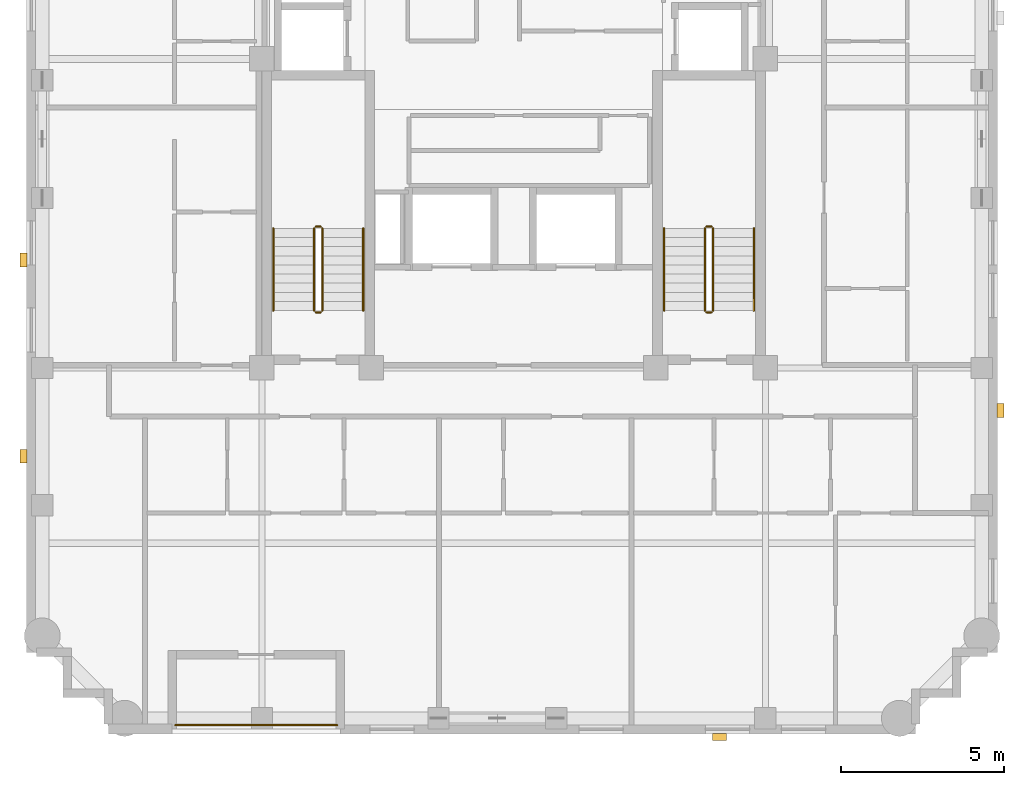
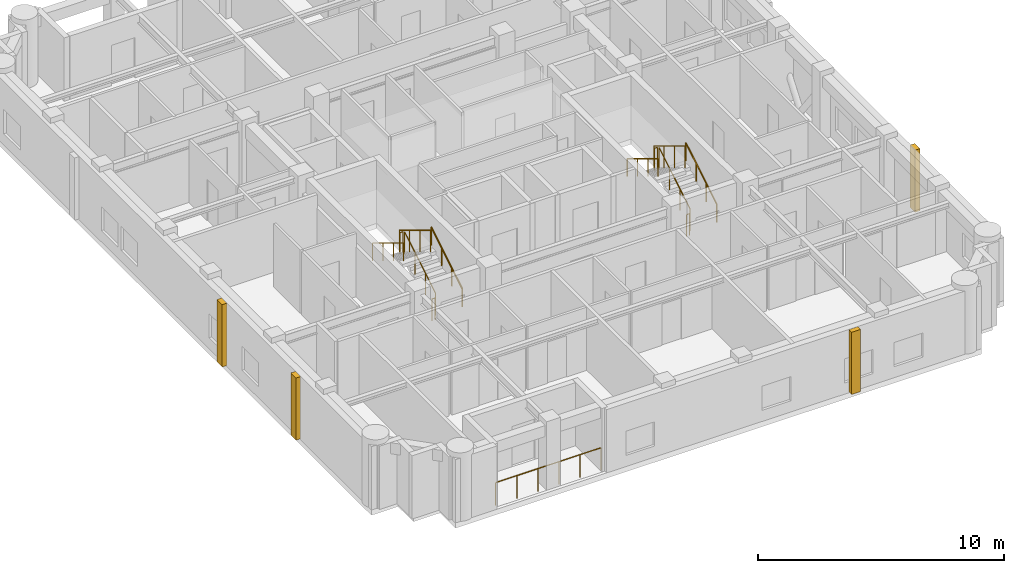
# One storey, part 9 of 10: 13 railings, 4 coverings.
"""IFC4 building model written with IfcOpenShell, lengths in metres."""

from ifc_helpers import new_model, si_unit, derived_unit, direction, frame, origin, origin_2d, place, context, subcontext, project, spatial, rectangle, circle, extrude, material, layer, layer_set, type_object, element, save


model = new_model("IFC4")

# Units and contexts
model_context = context("Model", 3, precision=1e-05, world=origin(), true_north=direction((0.0, 1.0)))
body_context = subcontext(model_context, "Body", "Model", "MODEL_VIEW")
ifc_project = project(units=[si_unit("LENGTHUNIT", "METRE"), si_unit("AREAUNIT", "SQUARE_METRE"), si_unit("VOLUMEUNIT", "CUBIC_METRE"), si_unit("PLANEANGLEUNIT", "RADIAN"), si_unit("MASSUNIT", "GRAM", prefix="KILO"), derived_unit("THERMALTRANSMITTANCEUNIT", [(si_unit("MASSUNIT", "GRAM", prefix="KILO"), 1), (si_unit("TIMEUNIT", "SECOND"), -3), (si_unit("THERMODYNAMICTEMPERATUREUNIT", "KELVIN"), -1)])], contexts=[model_context])

# Site, building, storey
site_placement = place(None, origin())
site = spatial("IfcSite", under=ifc_project, at=site_placement, CompositionType="ELEMENT")
building_placement = place(site_placement, origin())
building = spatial("IfcBuilding", under=site, at=building_placement, Name="Korrvale Station Residences", CompositionType="ELEMENT")
storey_placement = place(building_placement, frame((0.0, 0.0, 237.699951171875)))
storey = spatial("IfcBuildingStorey", under=building, at=storey_placement, Name="L69", CompositionType="ELEMENT", Elevation=237.699951171875)

# Coverings
ifc_material_1 = material(Name="Architectural precast concrete C45/55", Category="concrete")
ifc_layer = layer(ifc_material_1, 0.219970703125, Name="Architectural precast concrete C45/55")
ifc_layer_set = layer_set([ifc_layer], Name="Architectural precast concrete C45/55")
covering_type = type_object("IfcCoveringType", Name="COV-PIER-400", PredefinedType="CLADDING", material=ifc_layer_set)
for number, where, z_axis, x_axis, name in (
    (1, (31.800048828125, 3.7099609375, 0.02490234375), (0.0, 0.0, 1.0), (1.0, 0.0, 0.0), "L69 Architectural Precast Facade Pier 01"),
    (2, (10.510009765625, 12.300048828125, 0.02490234375), (0.0, 0.0, 1.0), (0.0, 1.0, 0.0), "L69 Architectural Precast Facade Pier 02"),
    (3, (10.510009765625, 18.300048828125, 0.02490234375), (0.0, 0.0, 1.0), (0.0, 1.0, 0.0), "L69 Architectural Precast Facade Pier 03"),
    (4, (40.389892578125, 13.699951171875, 0.02490234375), (0.0, 0.0, 1.0), (0.0, 1.0, 0.0), "L69 Architectural Precast Facade Pier 07"),
):
    element("IfcCovering", number, at=place(storey_placement, frame(where, z_axis=z_axis, x_axis=x_axis)), inside=storey, type_object=covering_type, Name=name, PredefinedType="CLADDING", context=body_context, shape_type="SweptSolid", body=[
        extrude(rectangle(XDim=0.419921875, YDim=0.219970703125, at=origin_2d()), origin(), (0.0, 0.0, 1.0), 3.090087890625),
    ])

# Railings
ifc_material_2 = material(Name="Powder-coated aluminium picket loggia guard", Category="aluminium")
railing_type_1 = type_object("IfcRailingType", Name="RLG-BAL-1150", PredefinedType="GUARDRAIL", material=ifc_material_2)
railing_1_placement = place(storey_placement, frame((15.14990234375, 4.070068359375, 0.0)))
element("IfcRailing", 5, at=railing_1_placement, inside=storey, type_object=railing_type_1, Name="L69 Recessed Loggia Guardrail BAL-L69-S1", PredefinedType="GUARDRAIL", context=body_context, shape_type="SweptSolid", body=[
    extrude(circle(Radius=0.02392578125, at=origin_2d()), frame((0.0, 0.0, 1.1259765625), z_axis=(1.0, 0.0, 0.0), x_axis=(0.0, 1.0, 0.0)), (0.0, 0.0, 1.0), 4.9501953125),
    extrude(circle(Radius=0.02099609375, at=origin_2d()), origin(), (0.0, 0.0, 1.0), 1.101806640625),
    extrude(circle(Radius=0.02099609375, at=origin_2d()), frame((0.989990234375, 0.0, 0.0)), (0.0, 0.0, 1.0), 1.101806640625),
    extrude(circle(Radius=0.02099609375, at=origin_2d()), frame((1.97998046875, 0.0, 0.0)), (0.0, 0.0, 1.0), 1.101806640625),
    extrude(circle(Radius=0.02099609375, at=origin_2d()), frame((2.97021484375, 0.0, 0.0)), (0.0, 0.0, 1.0), 1.101806640625),
    extrude(circle(Radius=0.02099609375, at=origin_2d()), frame((3.960205078125, 0.0, 0.0)), (0.0, 0.0, 1.0), 1.101806640625),
    extrude(circle(Radius=0.02099609375, at=origin_2d()), frame((4.9501953125, 0.0, 0.0)), (0.0, 0.0, 1.0), 1.101806640625),
])
ifc_material_3 = material(Name="Brushed stainless-steel continuous stair handrail", Category="steel")
railing_type_2 = type_object("IfcRailingType", Name="RLG-SHND-900", PredefinedType="HANDRAIL", material=ifc_material_3)
railing_2_placement = place(storey_placement, frame((20.89990234375, 16.75, 0.170166015625)))
element("IfcRailing", 6, at=railing_2_placement, inside=storey, type_object=railing_type_2, Name="L69 ST-1 stair handrail 1", PredefinedType="HANDRAIL", context=body_context, shape_type="SweptSolid", body=[
    extrude(circle(Radius=0.02392578125, at=origin_2d()), frame((0.0, 0.0, 0.8759765625), z_axis=(0.0, 0.854821627497, 0.518921945155), x_axis=(-1.0, 0.0, 0.0)), (0.0, 0.0, 1.0), 2.947998046875),
    extrude(circle(Radius=0.02099609375, at=origin_2d()), origin(), (0.0, 0.0, 1.0), 0.851806640625),
    extrude(circle(Radius=0.02099609375, at=origin_2d()), frame((0.0, 0.840087890625, 0.510009765625)), (0.0, 0.0, 1.0), 0.851806640625),
    extrude(circle(Radius=0.02099609375, at=origin_2d()), frame((0.0, 1.679931640625, 1.019775390625)), (0.0, 0.0, 1.0), 0.851806640625),
    extrude(circle(Radius=0.02099609375, at=origin_2d()), frame((0.0, 2.52001953125, 1.52978515625)), (0.0, 0.0, 1.0), 0.851806640625),
])
railing_3_placement = place(storey_placement, frame((18.14990234375, 19.27001953125, 1.8701171875)))
element("IfcRailing", 7, at=railing_3_placement, inside=storey, type_object=railing_type_2, Name="L69 ST-1 stair handrail 2", PredefinedType="HANDRAIL", context=body_context, shape_type="SweptSolid", body=[
    extrude(circle(Radius=0.02392578125, at=origin_2d()), frame((0.0, 0.0, 0.8759765625), z_axis=(0.0, -0.85478489116, 0.518982456201), x_axis=(1.0, 0.0, 0.0)), (0.0, 0.0, 1.0), 2.9482421875),
    extrude(circle(Radius=0.02099609375, at=origin_2d()), origin(), (0.0, 0.0, 1.0), 0.851806640625),
    extrude(circle(Radius=0.02099609375, at=origin_2d()), frame((0.0, -0.840087890625, 0.510009765625)), (0.0, 0.0, 1.0), 0.851806640625),
    extrude(circle(Radius=0.02099609375, at=origin_2d()), frame((0.0, -1.679931640625, 1.02001953125)), (0.0, 0.0, 1.0), 0.851806640625),
    extrude(circle(Radius=0.02099609375, at=origin_2d()), frame((0.0, -2.52001953125, 1.530029296875)), (0.0, 0.0, 1.0), 0.851806640625),
])
railing_4_placement = place(storey_placement, frame((32.85009765625, 16.75, 0.170166015625)))
element("IfcRailing", 8, at=railing_4_placement, inside=storey, type_object=railing_type_2, Name="L69 ST-2 stair handrail 1", PredefinedType="HANDRAIL", context=body_context, shape_type="SweptSolid", body=[
    extrude(circle(Radius=0.02392578125, at=origin_2d()), frame((0.0, 0.0, 0.8759765625), z_axis=(0.0, 0.854821627497, 0.518921945155), x_axis=(-1.0, 0.0, 0.0)), (0.0, 0.0, 1.0), 2.947998046875),
    extrude(circle(Radius=0.02099609375, at=origin_2d()), origin(), (0.0, 0.0, 1.0), 0.851806640625),
    extrude(circle(Radius=0.02099609375, at=origin_2d()), frame((0.0, 0.840087890625, 0.510009765625)), (0.0, 0.0, 1.0), 0.851806640625),
    extrude(circle(Radius=0.02099609375, at=origin_2d()), frame((0.0, 1.679931640625, 1.019775390625)), (0.0, 0.0, 1.0), 0.851806640625),
    extrude(circle(Radius=0.02099609375, at=origin_2d()), frame((0.0, 2.52001953125, 1.52978515625)), (0.0, 0.0, 1.0), 0.851806640625),
])
railing_5_placement = place(storey_placement, frame((30.10009765625, 19.27001953125, 1.8701171875)))
element("IfcRailing", 9, at=railing_5_placement, inside=storey, type_object=railing_type_2, Name="L69 ST-2 stair handrail 2", PredefinedType="HANDRAIL", context=body_context, shape_type="SweptSolid", body=[
    extrude(circle(Radius=0.02392578125, at=origin_2d()), frame((0.0, 0.0, 0.8759765625), z_axis=(0.0, -0.85478489116, 0.518982456201), x_axis=(1.0, 0.0, 0.0)), (0.0, 0.0, 1.0), 2.9482421875),
    extrude(circle(Radius=0.02099609375, at=origin_2d()), origin(), (0.0, 0.0, 1.0), 0.851806640625),
    extrude(circle(Radius=0.02099609375, at=origin_2d()), frame((0.0, -0.840087890625, 0.510009765625)), (0.0, 0.0, 1.0), 0.851806640625),
    extrude(circle(Radius=0.02099609375, at=origin_2d()), frame((0.0, -1.679931640625, 1.02001953125)), (0.0, 0.0, 1.0), 0.851806640625),
    extrude(circle(Radius=0.02099609375, at=origin_2d()), frame((0.0, -2.52001953125, 1.530029296875)), (0.0, 0.0, 1.0), 0.851806640625),
])
ifc_material_4 = material(Name="Galvanised painted tubular steel stair guard", Category="steel")
railing_type_3 = type_object("IfcRailingType", Name="RLG-STR-1100", PredefinedType="GUARDRAIL", material=ifc_material_4)
railing_6_placement = place(storey_placement, frame((19.64990234375, 16.75, 0.170166015625)))
element("IfcRailing", 10, at=railing_6_placement, inside=storey, type_object=railing_type_3, Name="L69 ST-1 stair guard 1", PredefinedType="GUARDRAIL", context=body_context, shape_type="SweptSolid", body=[
    extrude(circle(Radius=0.02392578125, at=origin_2d()), frame((0.0, 0.0, 1.076171875), z_axis=(0.0, 0.854821627497, 0.518921945155), x_axis=(-1.0, 0.0, 0.0)), (0.0, 0.0, 1.0), 2.947998046875),
    extrude(circle(Radius=0.02099609375, at=origin_2d()), origin(), (0.0, 0.0, 1.0), 1.052001953125),
    extrude(circle(Radius=0.02099609375, at=origin_2d()), frame((0.0, 0.840087890625, 0.510009765625)), (0.0, 0.0, 1.0), 1.052001953125),
    extrude(circle(Radius=0.02099609375, at=origin_2d()), frame((0.0, 1.679931640625, 1.019775390625)), (0.0, 0.0, 1.0), 1.052001953125),
    extrude(circle(Radius=0.02099609375, at=origin_2d()), frame((0.0, 2.52001953125, 1.52978515625)), (0.0, 0.0, 1.0), 1.052001953125),
])
railing_7_placement = place(storey_placement, frame((19.60009765625, 19.320068359375, 1.699951171875)))
element("IfcRailing", 11, at=railing_7_placement, inside=storey, type_object=railing_type_3, Name="L69 ST-1 stair guard 2", PredefinedType="GUARDRAIL", context=body_context, shape_type="SweptSolid", body=[
    extrude(circle(Radius=0.02392578125, at=origin_2d()), frame((0.0, 0.0, 1.076171875), z_axis=(-1.0, 0.0, 0.0), x_axis=(0.0, -1.0, 0.0)), (0.0, 0.0, 1.0), 0.150146484375),
    extrude(circle(Radius=0.02099609375, at=origin_2d()), origin(), (0.0, 0.0, 1.0), 1.052001953125),
    extrude(circle(Radius=0.02099609375, at=origin_2d()), frame((-0.150146484375, 0.0, 0.0)), (0.0, 0.0, 1.0), 1.052001953125),
])
railing_8_placement = place(storey_placement, frame((19.39990234375, 19.27001953125, 1.8701171875)))
element("IfcRailing", 12, at=railing_8_placement, inside=storey, type_object=railing_type_3, Name="L69 ST-1 stair guard 3", PredefinedType="GUARDRAIL", context=body_context, shape_type="SweptSolid", body=[
    extrude(circle(Radius=0.02392578125, at=origin_2d()), frame((0.0, 0.0, 1.076171875), z_axis=(0.0, -0.85478489116, 0.518982456201), x_axis=(1.0, 0.0, 0.0)), (0.0, 0.0, 1.0), 2.9482421875),
    extrude(circle(Radius=0.02099609375, at=origin_2d()), origin(), (0.0, 0.0, 1.0), 1.052001953125),
    extrude(circle(Radius=0.02099609375, at=origin_2d()), frame((0.0, -0.840087890625, 0.510009765625)), (0.0, 0.0, 1.0), 1.052001953125),
    extrude(circle(Radius=0.02099609375, at=origin_2d()), frame((0.0, -1.679931640625, 1.02001953125)), (0.0, 0.0, 1.0), 1.052001953125),
    extrude(circle(Radius=0.02099609375, at=origin_2d()), frame((0.0, -2.52001953125, 1.530029296875)), (0.0, 0.0, 1.0), 1.052001953125),
])
railing_9_placement = place(storey_placement, frame((19.60009765625, 16.699951171875, 0.0)))
element("IfcRailing", 13, at=railing_9_placement, inside=storey, type_object=railing_type_3, Name="L69 ST-1 stair guard 4", PredefinedType="GUARDRAIL", context=body_context, shape_type="SweptSolid", body=[
    extrude(circle(Radius=0.02392578125, at=origin_2d()), frame((0.0, 0.0, 1.076171875), z_axis=(-1.0, 0.0, 0.0), x_axis=(0.0, -1.0, 0.0)), (0.0, 0.0, 1.0), 0.150146484375),
    extrude(circle(Radius=0.02099609375, at=origin_2d()), origin(), (0.0, 0.0, 1.0), 1.052001953125),
    extrude(circle(Radius=0.02099609375, at=origin_2d()), frame((-0.150146484375, 0.0, 0.0)), (0.0, 0.0, 1.0), 1.052001953125),
])
railing_10_placement = place(storey_placement, frame((31.60009765625, 16.75, 0.170166015625)))
element("IfcRailing", 14, at=railing_10_placement, inside=storey, type_object=railing_type_3, Name="L69 ST-2 stair guard 1", PredefinedType="GUARDRAIL", context=body_context, shape_type="SweptSolid", body=[
    extrude(circle(Radius=0.02392578125, at=origin_2d()), frame((0.0, 0.0, 1.076171875), z_axis=(0.0, 0.854821627497, 0.518921945155), x_axis=(-1.0, 0.0, 0.0)), (0.0, 0.0, 1.0), 2.947998046875),
    extrude(circle(Radius=0.02099609375, at=origin_2d()), origin(), (0.0, 0.0, 1.0), 1.052001953125),
    extrude(circle(Radius=0.02099609375, at=origin_2d()), frame((0.0, 0.840087890625, 0.510009765625)), (0.0, 0.0, 1.0), 1.052001953125),
    extrude(circle(Radius=0.02099609375, at=origin_2d()), frame((0.0, 1.679931640625, 1.019775390625)), (0.0, 0.0, 1.0), 1.052001953125),
    extrude(circle(Radius=0.02099609375, at=origin_2d()), frame((0.0, 2.52001953125, 1.52978515625)), (0.0, 0.0, 1.0), 1.052001953125),
])
railing_11_placement = place(storey_placement, frame((31.550048828125, 19.320068359375, 1.699951171875)))
element("IfcRailing", 15, at=railing_11_placement, inside=storey, type_object=railing_type_3, Name="L69 ST-2 stair guard 2", PredefinedType="GUARDRAIL", context=body_context, shape_type="SweptSolid", body=[
    extrude(circle(Radius=0.02392578125, at=origin_2d()), frame((0.0, 0.0, 1.076171875), z_axis=(-1.0, 0.0, 0.0), x_axis=(0.0, -1.0, 0.0)), (0.0, 0.0, 1.0), 0.150146484375),
    extrude(circle(Radius=0.02099609375, at=origin_2d()), origin(), (0.0, 0.0, 1.0), 1.052001953125),
    extrude(circle(Radius=0.02099609375, at=origin_2d()), frame((-0.150146484375, 0.0, 0.0)), (0.0, 0.0, 1.0), 1.052001953125),
])
railing_12_placement = place(storey_placement, frame((31.35009765625, 19.27001953125, 1.8701171875)))
element("IfcRailing", 16, at=railing_12_placement, inside=storey, type_object=railing_type_3, Name="L69 ST-2 stair guard 3", PredefinedType="GUARDRAIL", context=body_context, shape_type="SweptSolid", body=[
    extrude(circle(Radius=0.02392578125, at=origin_2d()), frame((0.0, 0.0, 1.076171875), z_axis=(0.0, -0.85478489116, 0.518982456201), x_axis=(1.0, 0.0, 0.0)), (0.0, 0.0, 1.0), 2.9482421875),
    extrude(circle(Radius=0.02099609375, at=origin_2d()), origin(), (0.0, 0.0, 1.0), 1.052001953125),
    extrude(circle(Radius=0.02099609375, at=origin_2d()), frame((0.0, -0.840087890625, 0.510009765625)), (0.0, 0.0, 1.0), 1.052001953125),
    extrude(circle(Radius=0.02099609375, at=origin_2d()), frame((0.0, -1.679931640625, 1.02001953125)), (0.0, 0.0, 1.0), 1.052001953125),
    extrude(circle(Radius=0.02099609375, at=origin_2d()), frame((0.0, -2.52001953125, 1.530029296875)), (0.0, 0.0, 1.0), 1.052001953125),
])
railing_13_placement = place(storey_placement, frame((31.550048828125, 16.699951171875, 0.0)))
element("IfcRailing", 17, at=railing_13_placement, inside=storey, type_object=railing_type_3, Name="L69 ST-2 stair guard 4", PredefinedType="GUARDRAIL", context=body_context, shape_type="SweptSolid", body=[
    extrude(circle(Radius=0.02392578125, at=origin_2d()), frame((0.0, 0.0, 1.076171875), z_axis=(-1.0, 0.0, 0.0), x_axis=(0.0, -1.0, 0.0)), (0.0, 0.0, 1.0), 0.150146484375),
    extrude(circle(Radius=0.02099609375, at=origin_2d()), origin(), (0.0, 0.0, 1.0), 1.052001953125),
    extrude(circle(Radius=0.02099609375, at=origin_2d()), frame((-0.150146484375, 0.0, 0.0)), (0.0, 0.0, 1.0), 1.052001953125),
])

save(model, "model.ifc")
